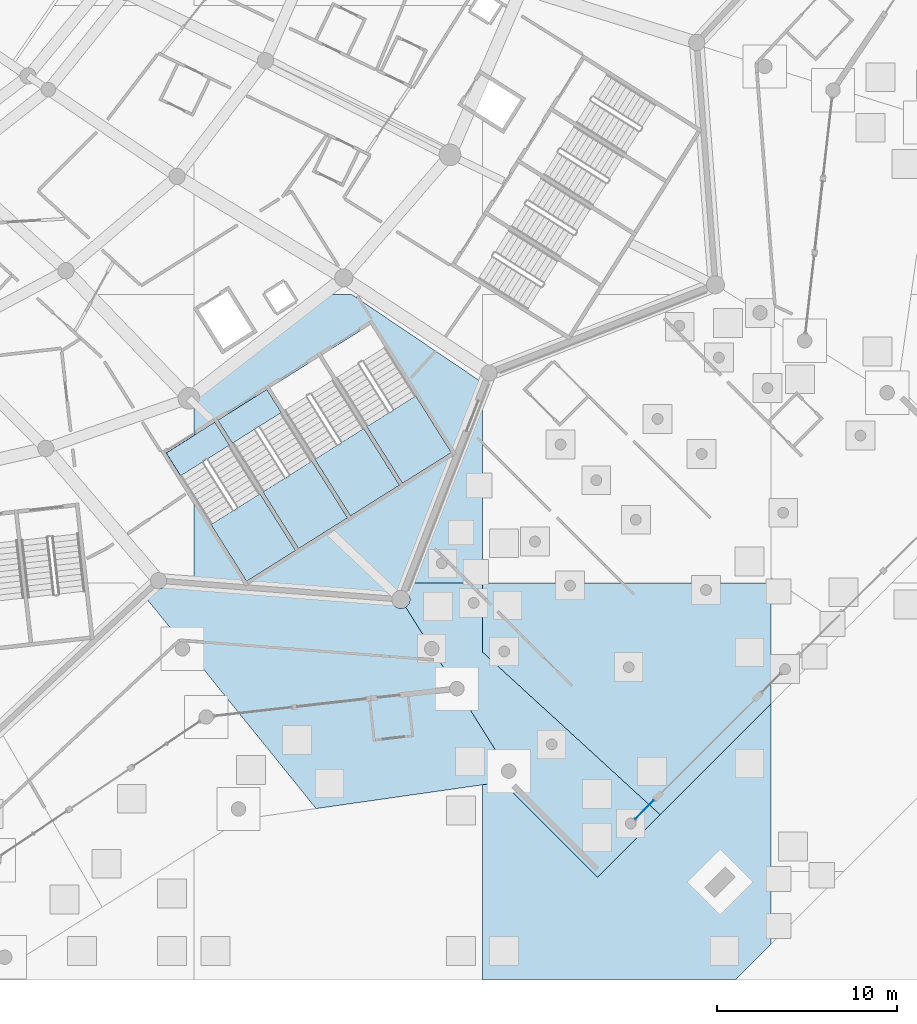
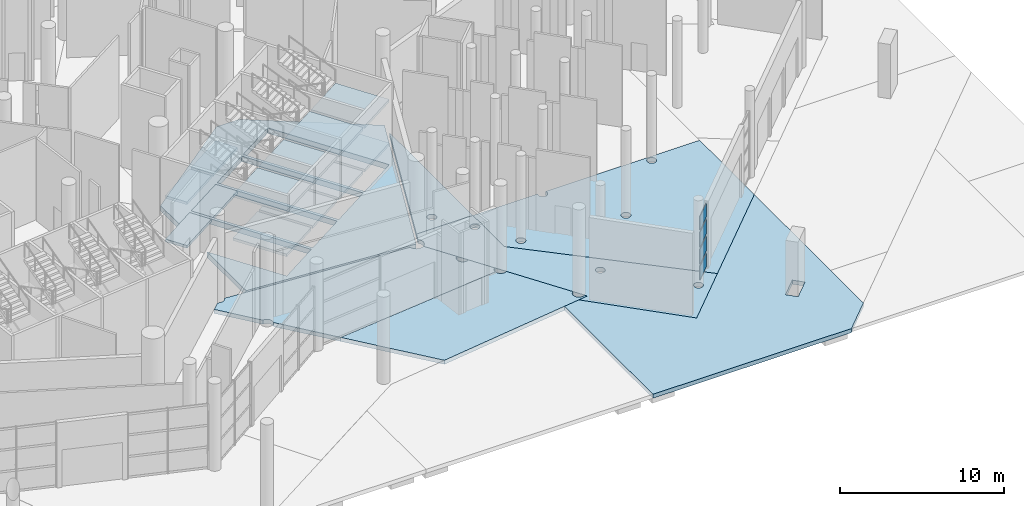
# One storey, part 80 of 255: 19 slabs, 4 plates, 5 elements without a shape of their own.
"""IFC4 building model written with IfcOpenShell, lengths in metres."""

from ifc_helpers import new_model, si_unit, direction, frame, origin, origin_2d, place, context, subcontext, project, spatial, polyline, rectangle, outline, extrude, material, layer, layer_set, type_object, element, aggregate, save


model = new_model("IFC4")

# Units and contexts
model_context = context("Model", 3, precision=1e-05, world=origin(), true_north=direction((0.0, 1.0)))
body_context = subcontext(model_context, "Body", "Model", "MODEL_VIEW")
ifc_project = project(units=[si_unit("LENGTHUNIT", "METRE"), si_unit("AREAUNIT", "SQUARE_METRE"), si_unit("VOLUMEUNIT", "CUBIC_METRE"), si_unit("PLANEANGLEUNIT", "RADIAN"), si_unit("MASSUNIT", "GRAM", prefix="KILO")], contexts=[model_context])

# Site, building, storey
site_placement = place(None, origin())
site = spatial("IfcSite", under=ifc_project, at=site_placement, CompositionType="ELEMENT")
building_placement = place(site_placement, origin())
building = spatial("IfcBuilding", under=site, at=building_placement, Name="Meseta Stadium", CompositionType="ELEMENT")
storey_placement = place(building_placement, origin())
storey = spatial("IfcBuildingStorey", under=building, at=storey_placement, Name="L00", CompositionType="ELEMENT", Elevation=0.0)

# Slabs
ifc_material_1 = material(Name="Concrete C40/50", Category="concrete")
ifc_layer_1 = layer(ifc_material_1, 0.39990234375)
ifc_layer_set_1 = layer_set([ifc_layer_1], Name="Floor slab 400")
slab_type_1 = type_object("IfcSlabType", Name="Floor slab 400", PredefinedType="FLOOR", material=ifc_layer_set_1)
slab_1_placement = place(storey_placement, frame((0.0, 0.0, -0.39990234375)))
element("IfcSlab", 1, at=slab_1_placement, inside=storey, type_object=slab_type_1, Name="Floor slab L00 sector 49 panel 13", PredefinedType="FLOOR", context=body_context, shape_type="SweptSolid", body=[
    extrude(outline(polyline([(64.0, -91.239990234375), (64.0, -96.023193359375), (75.474609375, -96.908447265625), (75.825927734375, -96.00732421875), (75.818115234375, -96.0), (75.828857421875, -96.0), (80.124267578125, -84.98388671875), (72.741455078125, -80.0), (71.144287109375, -80.0), (64.0, -85.5615234375), (64.0, -87.8203125), (65.1689453125, -87.085693359375), (69.63818359375, -94.1982421875), (66.9287109375, -95.90087890625), (64.0, -91.239990234375)]), holes=[polyline([(65.33837890625, -86.9794921875), (68.0478515625, -85.27685546875), (72.516845703125, -92.389404296875), (69.807373046875, -94.091796875), (65.33837890625, -86.9794921875)]), polyline([(68.21728515625, -85.17041015625), (70.9267578125, -83.468017578125), (75.395751953125, -90.58056640625), (72.686279296875, -92.282958984375), (68.21728515625, -85.17041015625)]), polyline([(71.09619140625, -83.361572265625), (73.8056640625, -81.6591796875), (78.274658203125, -88.771484375), (75.565185546875, -90.47412109375), (71.09619140625, -83.361572265625)])]), origin(), (0.0, 0.0, 1.0), 0.39990234375),
])
ifc_material_2 = material(Name="Concrete C40/50", Category="concrete")
ifc_layer_2 = layer(ifc_material_2, 0.300048828125)
ifc_layer_set_2 = layer_set([ifc_layer_2], Name="Gate court paving 300")
slab_type_2 = type_object("IfcSlabType", Name="Gate court paving 300", PredefinedType="FLOOR", material=ifc_layer_set_2)
slab_2_placement = place(storey_placement, frame((0.0, 0.0, -0.300048828125)))
element("IfcSlab", 2, at=slab_2_placement, inside=storey, type_object=slab_type_2, Name="Gate 8 court paving panel 04", PredefinedType="FLOOR", context=body_context, shape_type="SweptSolid", body=[
    extrude(outline(polyline([(96.0, -102.671875), (86.375732421875, -112.296142578125), (81.106201171875, -107.0263671875), (81.771240234375, -106.931396484375), (80.0, -107.18408203125), (80.0, -118.0), (94.00146484375, -118.0), (96.0, -116.00146484375), (96.0, -102.671875)]), holes=[polyline([(92.881103515625, -113.427490234375), (92.3154296875, -112.86181640625), (93.447021484375, -111.73046875), (94.0126953125, -112.296142578125), (92.881103515625, -113.427490234375)])]), origin(), (0.0, 0.0, 1.0), 0.300048828125),
])
ifc_material_3 = material(Name="Concrete C30/37", Category="concrete")
ifc_layer_3 = layer(ifc_material_3, 0.300048828125)
ifc_layer_set_3 = layer_set([ifc_layer_3], Name="Gate grade slab 300")
slab_type_3 = type_object("IfcSlabType", Name="Gate grade slab 300", PredefinedType="BASESLAB", material=ifc_layer_set_3)
slab_3_placement = place(storey_placement, frame((0.0, 0.0, -0.300048828125)))
element("IfcSlab", 3, at=slab_3_placement, inside=storey, type_object=slab_type_3, Name="Gate ground floor slab 8 panel 01", PredefinedType="BASESLAB", context=body_context, shape_type="SweptSolid", body=[
    extrude(outline(polyline([(80.0, -96.0), (80.0, -85.798095703125), (76.02197265625, -96.0), (80.0, -96.0)]), holes=[polyline([(77.955810546875, -95.12255859375), (77.89306640625, -95.170654296875), (77.820068359375, -95.200927734375), (77.74169921875, -95.211181640625), (77.663330078125, -95.200927734375), (77.590576171875, -95.170654296875), (77.52783203125, -95.12255859375), (77.479736328125, -95.059814453125), (77.449462890625, -94.98681640625), (77.439208984375, -94.90869140625), (77.449462890625, -94.830322265625), (77.479736328125, -94.75732421875), (77.52783203125, -94.694580078125), (77.590576171875, -94.646484375), (77.663330078125, -94.6162109375), (77.74169921875, -94.60595703125), (77.820068359375, -94.6162109375), (77.89306640625, -94.646484375), (77.955810546875, -94.694580078125), (78.00390625, -94.75732421875), (78.033935546875, -94.830322265625), (78.044189453125, -94.90869140625), (78.033935546875, -94.98681640625), (78.00390625, -95.059814453125), (77.955810546875, -95.12255859375)])]), origin(), (0.0, 0.0, 1.0), 0.300048828125),
])
slab_4_placement = place(storey_placement, frame((0.0, 0.0, -0.300048828125)))
element("IfcSlab", 4, at=slab_4_placement, inside=storey, type_object=slab_type_3, Name="Gate ground floor slab 8 panel 02", PredefinedType="BASESLAB", context=body_context, shape_type="SweptSolid", body=[
    extrude(outline(polyline([(75.831298828125, -96.552001953125), (75.911376953125, -96.656494140625), (75.961669921875, -96.778076171875), (75.97900390625, -96.908447265625), (75.961669921875, -97.0390625), (75.911376953125, -97.16064453125), (75.831298828125, -97.26513671875), (75.740966796875, -97.33447265625), (81.771240234375, -106.931396484375), (81.106201171875, -107.0263671875), (86.375732421875, -112.296142578125), (89.837890625, -108.833984375), (80.0, -99.828369140625), (80.0, -96.0), (76.02197265625, -96.0), (75.8125, -96.53759765625), (75.831298828125, -96.552001953125)]), holes=[polyline([(79.72314453125, -96.88720703125), (79.771240234375, -96.94970703125), (79.801513671875, -97.022705078125), (79.811767578125, -97.10107421875), (79.801513671875, -97.17919921875), (79.771240234375, -97.252197265625), (79.72314453125, -97.31494140625), (79.660400390625, -97.363037109375), (79.58740234375, -97.393310546875), (79.50927734375, -97.403564453125), (79.430908203125, -97.393310546875), (79.35791015625, -97.363037109375), (79.295166015625, -97.31494140625), (79.2470703125, -97.252197265625), (79.216796875, -97.17919921875), (79.20654296875, -97.10107421875), (79.216796875, -97.022705078125), (79.2470703125, -96.94970703125), (79.295166015625, -96.88720703125), (79.35791015625, -96.839111328125), (79.430908203125, -96.80859375), (79.50927734375, -96.79833984375), (79.58740234375, -96.80859375), (79.660400390625, -96.839111328125), (79.72314453125, -96.88720703125)]), polyline([(88.476318359375, -109.175048828125), (88.506591796875, -109.247802734375), (88.516845703125, -109.326416015625), (88.506591796875, -109.404541015625), (88.476318359375, -109.4775390625), (88.42822265625, -109.540283203125), (88.365478515625, -109.58837890625), (88.29248046875, -109.618408203125), (88.21435546875, -109.62890625), (88.135986328125, -109.618408203125), (88.06298828125, -109.58837890625), (88.000244140625, -109.540283203125), (87.9521484375, -109.4775390625), (87.922119140625, -109.404541015625), (87.91162109375, -109.326416015625), (87.922119140625, -109.247802734375), (87.9521484375, -109.175048828125), (88.000244140625, -109.1123046875), (88.06298828125, -109.064208984375), (88.135986328125, -109.033935546875), (88.21435546875, -109.023681640625), (88.29248046875, -109.033935546875), (88.365478515625, -109.064208984375), (88.42822265625, -109.1123046875), (88.476318359375, -109.175048828125)]), polyline([(84.12255859375, -104.864013671875), (84.1328125, -104.942138671875), (84.12255859375, -105.0205078125), (84.09228515625, -105.093505859375), (84.044189453125, -105.15625), (83.9814453125, -105.2041015625), (83.908447265625, -105.234619140625), (83.830078125, -105.244873046875), (83.751953125, -105.234619140625), (83.678955078125, -105.2041015625), (83.6162109375, -105.15625), (83.568115234375, -105.093505859375), (83.537841796875, -105.0205078125), (83.527587890625, -104.942138671875), (83.537841796875, -104.864013671875), (83.568115234375, -104.791015625), (83.6162109375, -104.728271484375), (83.678955078125, -104.68017578125), (83.751953125, -104.64990234375), (83.830078125, -104.6396484375), (83.908447265625, -104.64990234375), (83.9814453125, -104.68017578125), (84.044189453125, -104.728271484375), (84.09228515625, -104.791015625), (84.12255859375, -104.864013671875)])]), origin(), (0.0, 0.0, 1.0), 0.300048828125),
])
slab_5_placement = place(storey_placement, frame((0.0, 0.0, -0.300048828125)))
element("IfcSlab", 5, at=slab_5_placement, inside=storey, type_object=slab_type_3, Name="Gate ground floor slab 8 panel 04", PredefinedType="BASESLAB", context=body_context, shape_type="SweptSolid", body=[
    extrude(outline(polyline([(80.0, -99.828369140625), (89.837890625, -108.833984375), (96.0, -102.671875), (96.0, -96.0), (85.113525390625, -96.0), (85.141357421875, -96.06689453125), (85.151611328125, -96.145263671875), (85.141357421875, -96.2236328125), (85.111083984375, -96.29638671875), (85.06298828125, -96.359130859375), (85.000244140625, -96.4072265625), (84.92724609375, -96.4375), (84.84912109375, -96.44775390625), (84.770751953125, -96.4375), (84.69775390625, -96.4072265625), (84.635009765625, -96.359130859375), (84.5869140625, -96.29638671875), (84.556640625, -96.2236328125), (84.54638671875, -96.145263671875), (84.556640625, -96.06689453125), (84.58447265625, -96.0), (80.0, -96.0), (80.0, -99.828369140625)]), holes=[polyline([(88.322265625, -100.878173828125), (88.259521484375, -100.92626953125), (88.1865234375, -100.95654296875), (88.108154296875, -100.966796875), (88.02978515625, -100.95654296875), (87.956787109375, -100.92626953125), (87.894287109375, -100.878173828125), (87.84619140625, -100.8154296875), (87.81591796875, -100.742431640625), (87.8056640625, -100.664306640625), (87.81591796875, -100.5859375), (87.84619140625, -100.512939453125), (87.894287109375, -100.4501953125), (87.956787109375, -100.402099609375), (88.02978515625, -100.371826171875), (88.108154296875, -100.361572265625), (88.1865234375, -100.371826171875), (88.259521484375, -100.402099609375), (88.322265625, -100.4501953125), (88.370361328125, -100.512939453125), (88.400390625, -100.5859375), (88.410888671875, -100.664306640625), (88.400390625, -100.742431640625), (88.370361328125, -100.8154296875), (88.322265625, -100.878173828125)]), polyline([(81.462890625, -99.944580078125), (81.414794921875, -100.00732421875), (81.352294921875, -100.055419921875), (81.279296875, -100.085693359375), (81.200927734375, -100.095947265625), (81.12255859375, -100.085693359375), (81.049560546875, -100.055419921875), (80.98681640625, -100.00732421875), (80.938720703125, -99.944580078125), (80.90869140625, -99.87158203125), (80.898193359375, -99.79345703125), (80.90869140625, -99.715087890625), (80.938720703125, -99.64208984375), (80.98681640625, -99.579345703125), (81.049560546875, -99.53125), (81.12255859375, -99.501220703125), (81.200927734375, -99.49072265625), (81.279296875, -99.501220703125), (81.352294921875, -99.53125), (81.414794921875, -99.579345703125), (81.462890625, -99.64208984375), (81.4931640625, -99.715087890625), (81.50341796875, -99.79345703125), (81.4931640625, -99.87158203125), (81.462890625, -99.944580078125)]), polyline([(92.60009765625, -96.60009765625), (92.53759765625, -96.648193359375), (92.464599609375, -96.678466796875), (92.38623046875, -96.688720703125), (92.307861328125, -96.678466796875), (92.23486328125, -96.648193359375), (92.172119140625, -96.60009765625), (92.124267578125, -96.53759765625), (92.093994140625, -96.464599609375), (92.08349609375, -96.38623046875), (92.093994140625, -96.307861328125), (92.124267578125, -96.23486328125), (92.172119140625, -96.172119140625), (92.23486328125, -96.124267578125), (92.307861328125, -96.093994140625), (92.38623046875, -96.08349609375), (92.464599609375, -96.093994140625), (92.53759765625, -96.124267578125), (92.60009765625, -96.172119140625), (92.648193359375, -96.23486328125), (92.678466796875, -96.307861328125), (92.688720703125, -96.38623046875), (92.678466796875, -96.464599609375), (92.648193359375, -96.53759765625), (92.60009765625, -96.60009765625)])]), origin(), (0.0, 0.0, 1.0), 0.300048828125),
])
ifc_material_4 = material(Name="Concrete C40/50", Category="concrete")
ifc_layer_4 = layer(ifc_material_4, 0.300048828125)
ifc_layer_set_4 = layer_set([ifc_layer_4], Name="Passage paving slab 300")
slab_type_4 = type_object("IfcSlabType", Name="Passage paving slab 300", PredefinedType="FLOOR", material=ifc_layer_set_4)
slab_6_placement = place(storey_placement, frame((0.0, 0.0, -0.300048828125)))
element("IfcSlab", 6, at=slab_6_placement, inside=storey, type_object=slab_type_4, Name="Covered passage paving 7 part 2 panel 03", PredefinedType="FLOOR", context=body_context, shape_type="SweptSolid", body=[
    extrude(outline(polyline([(66.512451171875, -103.218017578125), (70.77587890625, -108.500732421875), (80.0, -107.18408203125), (80.0, -107.185302734375), (81.10693359375, -107.02734375), (81.106201171875, -107.0263671875), (81.771240234375, -106.931396484375), (81.66650390625, -106.764892578125), (81.655517578125, -106.773681640625), (81.55810546875, -106.81396484375), (81.45361328125, -106.82763671875), (81.34912109375, -106.81396484375), (81.251953125, -106.773681640625), (81.16845703125, -106.70947265625), (81.104248046875, -106.6259765625), (81.06396484375, -106.528564453125), (81.05029296875, -106.42431640625), (81.06396484375, -106.31982421875), (81.104248046875, -106.222412109375), (81.16845703125, -106.138916015625), (81.239013671875, -106.084716796875), (78.793701171875, -102.192626953125), (78.782470703125, -102.201416015625), (78.68505859375, -102.24169921875), (78.580810546875, -102.25537109375), (78.476318359375, -102.24169921875), (78.37890625, -102.201416015625), (78.29541015625, -102.13720703125), (78.231201171875, -102.0537109375), (78.19091796875, -101.956298828125), (78.18310546875, -101.89697265625), (66.512451171875, -103.218017578125)])), origin(), (0.0, 0.0, 1.0), 0.300048828125),
])

# Curtain wall, plates
ifc_material_5 = material(Name="Aluminium", Category="aluminium")
ifc_layer_5 = layer(ifc_material_5, 0.199951171875)
ifc_layer_set_5 = layer_set([ifc_layer_5], Name="Gate hall curtain wall")
curtain_wall_type = type_object("IfcCurtainWallType", Name="Gate hall curtain wall", PredefinedType="NOTDEFINED", material=ifc_layer_set_5)
curtain_wall_placement = place(storey_placement, origin())
curtain_wall = element("IfcCurtainWall", 7, at=curtain_wall_placement, inside=storey, type_object=curtain_wall_type, Name="Gate 8 glazing", PredefinedType="NOTDEFINED")
ifc_material_6 = material(Name="Glass", Category="glass")
ifc_layer_6 = layer(ifc_material_6, 0.035888671875)
ifc_layer_set_6 = layer_set([ifc_layer_6], Name="Ring CW glass panel 36")
plate_type = type_object("IfcPlateType", Name="Ring CW glass panel 36", PredefinedType="CURTAIN_PANEL", material=ifc_layer_set_6)
plate_1_placement = place(storey_placement, frame((88.974365234375, -108.566162109375, 0.14990234375), z_axis=(0.0, 0.0, 1.0), x_axis=(0.707106781187, 0.707106781187, 0.0)))
plate_1 = element("IfcPlate", 8, at=plate_1_placement, type_object=plate_type, Name="CWG1 panel 1.1", PredefinedType="CURTAIN_PANEL", context=body_context, shape_type="SweptSolid", body=[
    extrude(rectangle(XDim=1.429931640625, YDim=0.035888671875, at=origin_2d()), origin(), (0.0, 0.0, 1.0), 1.03759765625),
])
plate_2_placement = place(storey_placement, frame((88.974365234375, -108.566162109375, 1.33740234375), z_axis=(0.0, 0.0, 1.0), x_axis=(0.707106781187, 0.707106781187, 0.0)))
plate_2 = element("IfcPlate", 9, at=plate_2_placement, type_object=plate_type, Name="CWG1 panel 1.2", PredefinedType="CURTAIN_PANEL", context=body_context, shape_type="SweptSolid", body=[
    extrude(rectangle(XDim=1.429931640625, YDim=0.035888671875, at=origin_2d()), origin(), (0.0, 0.0, 1.0), 1.112548828125),
])
plate_3_placement = place(storey_placement, frame((88.974365234375, -108.566162109375, 2.60009765625), z_axis=(0.0, 0.0, 1.0), x_axis=(0.707106781187, 0.707106781187, 0.0)))
plate_3 = element("IfcPlate", 10, at=plate_3_placement, type_object=plate_type, Name="CWG1 panel 1.3", PredefinedType="CURTAIN_PANEL", context=body_context, shape_type="SweptSolid", body=[
    extrude(rectangle(XDim=1.429931640625, YDim=0.035888671875, at=origin_2d()), origin(), (0.0, 0.0, 1.0), 1.112548828125),
])
plate_4_placement = place(storey_placement, frame((88.974365234375, -108.566162109375, 3.862548828125), z_axis=(0.0, 0.0, 1.0), x_axis=(0.707106781187, 0.707106781187, 0.0)))
plate_4 = element("IfcPlate", 11, at=plate_4_placement, type_object=plate_type, Name="CWG1 panel 1.4", PredefinedType="CURTAIN_PANEL", context=body_context, shape_type="SweptSolid", body=[
    extrude(rectangle(XDim=1.429931640625, YDim=0.035888671875, at=origin_2d()), origin(), (0.0, 0.0, 1.0), 1.03759765625),
])
aggregate(curtain_wall, [plate_1, plate_2, plate_3, plate_4])

# Slab
ifc_material_7 = material(Name="Concrete C30/37", Category="concrete")
ifc_layer_7 = layer(ifc_material_7, 0.300048828125)
ifc_layer_set_7 = layer_set([ifc_layer_7], Name="Ring grade slab 300")
slab_type_5 = type_object("IfcSlabType", Name="Ring grade slab 300", PredefinedType="BASESLAB", material=ifc_layer_set_7)
slab_7_placement = place(storey_placement, frame((0.0, 0.0, -0.300048828125)))
element("IfcSlab", 12, at=slab_7_placement, inside=storey, type_object=slab_type_5, Name="Ring ground floor slab 7 part 2 panel 03", PredefinedType="BASESLAB", context=body_context, shape_type="SweptSolid", body=[
    extrude(outline(polyline([(78.29541015625, -101.566650390625), (78.3662109375, -101.51220703125), (77.400146484375, -99.97509765625), (77.388916015625, -99.983642578125), (77.291748046875, -100.02392578125), (77.187255859375, -100.03759765625), (77.082763671875, -100.02392578125), (76.985595703125, -99.983642578125), (76.902099609375, -99.91943359375), (76.837890625, -99.8359375), (76.797607421875, -99.738525390625), (76.78369140625, -99.63427734375), (76.797607421875, -99.52978515625), (76.837890625, -99.4326171875), (76.902099609375, -99.348876953125), (76.97265625, -99.294677734375), (75.740966796875, -97.33447265625), (75.74169921875, -97.333740234375), (75.726806640625, -97.34521484375), (75.60498046875, -97.395751953125), (75.474609375, -97.412841796875), (75.343994140625, -97.395751953125), (75.222412109375, -97.34521484375), (75.117919921875, -97.26513671875), (75.037841796875, -97.16064453125), (74.9873046875, -97.0390625), (74.985107421875, -97.021240234375), (62.463134765625, -96.054931640625), (62.444580078125, -96.099609375), (62.37255859375, -96.193603515625), (62.278564453125, -96.265869140625), (62.1689453125, -96.31103515625), (62.051513671875, -96.32666015625), (61.93408203125, -96.31103515625), (61.842041015625, -96.27294921875), (61.30859375, -96.77001953125), (63.3125, -99.252685546875), (63.372802734375, -99.244873046875), (63.47705078125, -99.258544921875), (63.574462890625, -99.298828125), (63.657958984375, -99.363037109375), (63.72216796875, -99.446533203125), (63.762451171875, -99.543701171875), (63.776123046875, -99.648193359375), (63.762451171875, -99.752685546875), (63.74658203125, -99.790771484375), (66.512451171875, -103.218017578125), (78.18310546875, -101.89697265625), (78.17724609375, -101.851806640625), (78.19091796875, -101.747314453125), (78.231201171875, -101.650146484375), (78.29541015625, -101.566650390625)])), origin(), (0.0, 0.0, 1.0), 0.300048828125),
])

# Stair, slabs
ifc_material_8 = material(Name="Concrete C40/50", Category="concrete")
stair_type = type_object("IfcStairType", Name="Exit stair 4 flights 148 mm risers", PredefinedType="HALF_TURN_STAIR", material=ifc_material_8)
stair_1_placement = place(storey_placement, origin())
stair_1 = element("IfcStair", 13, at=stair_1_placement, inside=storey, type_object=stair_type, Name="ST105 L00", PredefinedType="HALF_TURN_STAIR")
ifc_material_9 = material(Name="Concrete C40/50", Category="concrete")
ifc_layer_8 = layer(ifc_material_9, 0.199951171875)
ifc_layer_set_8 = layer_set([ifc_layer_8], Name="Stair landing 200")
slab_type_6 = type_object("IfcSlabType", Name="Stair landing 200", PredefinedType="LANDING", material=ifc_layer_set_8)
slab_8_placement = place(storey_placement, frame((0.0, 0.0, 1.425048828125)))
slab_8 = element("IfcSlab", 14, at=slab_8_placement, type_object=slab_type_6, Name="ST105 L00 landing 1", PredefinedType="LANDING", context=body_context, shape_type="SweptSolid", body=[
    extrude(outline(polyline([(64.954833984375, -92.759521484375), (66.928466796875, -95.90087890625), (69.63818359375, -94.1982421875), (67.664306640625, -91.056884765625), (64.954833984375, -92.759521484375)])), origin(), (0.0, 0.0, 1.0), 0.199951171875),
])
slab_9_placement = place(storey_placement, frame((0.0, 0.0, 3.050048828125)))
slab_9 = element("IfcSlab", 15, at=slab_9_placement, type_object=slab_type_6, Name="ST105 L00 landing 2", PredefinedType="LANDING", context=body_context, shape_type="SweptSolid", body=[
    extrude(outline(polyline([(62.45947265625, -88.788330078125), (63.262939453125, -90.06689453125), (65.972412109375, -88.364501953125), (65.1689453125, -87.0859375), (62.45947265625, -88.788330078125)])), origin(), (0.0, 0.0, 1.0), 0.199951171875),
])
slab_10_placement = place(storey_placement, frame((0.0, 0.0, 4.675048828125)))
slab_10 = element("IfcSlab", 16, at=slab_10_placement, type_object=slab_type_6, Name="ST105 L00 landing 3", PredefinedType="LANDING", context=body_context, shape_type="SweptSolid", body=[
    extrude(outline(polyline([(64.954833984375, -92.759521484375), (66.928466796875, -95.90087890625), (69.63818359375, -94.1982421875), (67.664306640625, -91.056884765625), (64.954833984375, -92.759521484375)])), origin(), (0.0, 0.0, 1.0), 0.199951171875),
])
slab_11_placement = place(storey_placement, frame((0.0, 0.0, -0.199951171875)))
slab_11 = element("IfcSlab", 17, at=slab_11_placement, type_object=slab_type_6, Name="ST105 L00 landing 4", PredefinedType="LANDING", context=body_context, shape_type="SweptSolid", body=[
    extrude(outline(polyline([(65.1689453125, -87.085693359375), (64.011962890625, -87.812744140625), (64.011962890625, -87.8203125), (64.011962890625, -87.821533203125), (64.01171875, -87.82275390625), (64.011474609375, -87.823974609375), (64.010986328125, -87.824951171875), (64.010498046875, -87.826171875), (64.010009765625, -87.8271484375), (64.009033203125, -87.828125), (64.00830078125, -87.8291015625), (64.00732421875, -87.829833984375), (64.00634765625, -87.83056640625), (62.47607421875, -88.7919921875), (63.27294921875, -90.060546875), (65.972412109375, -88.364501953125), (65.1689453125, -87.085693359375)])), origin(), (0.0, 0.0, 1.0), 0.199951171875),
])
aggregate(stair_1, [slab_8, slab_9, slab_10, slab_11])

stair_2_placement = place(storey_placement, origin())
stair_2 = element("IfcStair", 18, at=stair_2_placement, inside=storey, type_object=stair_type, Name="ST106 L00", PredefinedType="HALF_TURN_STAIR")
slab_12_placement = place(storey_placement, frame((0.0, 0.0, 1.425048828125)))
slab_12 = element("IfcSlab", 19, at=slab_12_placement, type_object=slab_type_6, Name="ST106 L00 landing 1", PredefinedType="LANDING", context=body_context, shape_type="SweptSolid", body=[
    extrude(outline(polyline([(67.83349609375, -90.95068359375), (69.807373046875, -94.091796875), (72.516845703125, -92.389404296875), (70.543212890625, -89.248046875), (67.83349609375, -90.95068359375)])), origin(), (0.0, 0.0, 1.0), 0.199951171875),
])
slab_13_placement = place(storey_placement, frame((0.0, 0.0, 3.050048828125)))
slab_13 = element("IfcSlab", 20, at=slab_13_placement, type_object=slab_type_6, Name="ST106 L00 landing 2", PredefinedType="LANDING", context=body_context, shape_type="SweptSolid", body=[
    extrude(outline(polyline([(65.33837890625, -86.9794921875), (66.1416015625, -88.258056640625), (68.851318359375, -86.555419921875), (68.0478515625, -85.27685546875), (65.33837890625, -86.9794921875)])), origin(), (0.0, 0.0, 1.0), 0.199951171875),
])
slab_14_placement = place(storey_placement, frame((0.0, 0.0, 4.675048828125)))
slab_14 = element("IfcSlab", 21, at=slab_14_placement, type_object=slab_type_6, Name="ST106 L00 landing 3", PredefinedType="LANDING", context=body_context, shape_type="SweptSolid", body=[
    extrude(outline(polyline([(67.83349609375, -90.95068359375), (69.807373046875, -94.091796875), (72.516845703125, -92.389404296875), (70.543212890625, -89.248046875), (67.83349609375, -90.95068359375)])), origin(), (0.0, 0.0, 1.0), 0.199951171875),
])
slab_15_placement = place(storey_placement, frame((0.0, 0.0, -0.199951171875)))
slab_15 = element("IfcSlab", 22, at=slab_15_placement, type_object=slab_type_6, Name="ST106 L00 landing 4", PredefinedType="LANDING", context=body_context, shape_type="SweptSolid", body=[
    extrude(outline(polyline([(65.33837890625, -86.9794921875), (66.1416015625, -88.258056640625), (68.851318359375, -86.555419921875), (68.0478515625, -85.27685546875), (65.33837890625, -86.9794921875)])), origin(), (0.0, 0.0, 1.0), 0.199951171875),
])
aggregate(stair_2, [slab_12, slab_13, slab_14, slab_15])

stair_3_placement = place(storey_placement, origin())
stair_3 = element("IfcStair", 23, at=stair_3_placement, inside=storey, type_object=stair_type, Name="ST107 L00", PredefinedType="HALF_TURN_STAIR")
slab_16_placement = place(storey_placement, frame((0.0, 0.0, 1.425048828125)))
slab_16 = element("IfcSlab", 24, at=slab_16_placement, type_object=slab_type_6, Name="ST107 L00 landing 1", PredefinedType="LANDING", context=body_context, shape_type="SweptSolid", body=[
    extrude(outline(polyline([(70.71240234375, -89.1416015625), (72.686279296875, -92.282958984375), (75.395751953125, -90.58056640625), (73.421875, -87.439208984375), (70.71240234375, -89.1416015625)])), origin(), (0.0, 0.0, 1.0), 0.199951171875),
])
slab_17_placement = place(storey_placement, frame((0.0, 0.0, 4.675048828125)))
slab_17 = element("IfcSlab", 25, at=slab_17_placement, type_object=slab_type_6, Name="ST107 L00 landing 3", PredefinedType="LANDING", context=body_context, shape_type="SweptSolid", body=[
    extrude(outline(polyline([(70.71240234375, -89.1416015625), (72.686279296875, -92.282958984375), (75.395751953125, -90.58056640625), (73.421875, -87.439208984375), (70.71240234375, -89.1416015625)])), origin(), (0.0, 0.0, 1.0), 0.199951171875),
])
aggregate(stair_3, [slab_16, slab_17])

stair_4_placement = place(storey_placement, origin())
stair_4 = element("IfcStair", 26, at=stair_4_placement, inside=storey, type_object=stair_type, Name="ST108 L00", PredefinedType="HALF_TURN_STAIR")
slab_18_placement = place(storey_placement, frame((0.0, 0.0, 1.425048828125)))
slab_18 = element("IfcSlab", 27, at=slab_18_placement, type_object=slab_type_6, Name="ST108 L00 landing 1", PredefinedType="LANDING", context=body_context, shape_type="SweptSolid", body=[
    extrude(outline(polyline([(73.59130859375, -87.332763671875), (75.565185546875, -90.47412109375), (78.274658203125, -88.771484375), (76.30078125, -85.630126953125), (73.59130859375, -87.332763671875)])), origin(), (0.0, 0.0, 1.0), 0.199951171875),
])
slab_19_placement = place(storey_placement, frame((0.0, 0.0, 4.675048828125)))
slab_19 = element("IfcSlab", 28, at=slab_19_placement, type_object=slab_type_6, Name="ST108 L00 landing 3", PredefinedType="LANDING", context=body_context, shape_type="SweptSolid", body=[
    extrude(outline(polyline([(73.59130859375, -87.332763671875), (75.565185546875, -90.47412109375), (78.274658203125, -88.771484375), (76.30078125, -85.630126953125), (73.59130859375, -87.332763671875)])), origin(), (0.0, 0.0, 1.0), 0.199951171875),
])
aggregate(stair_4, [slab_18, slab_19])

save(model, "model.ifc")
